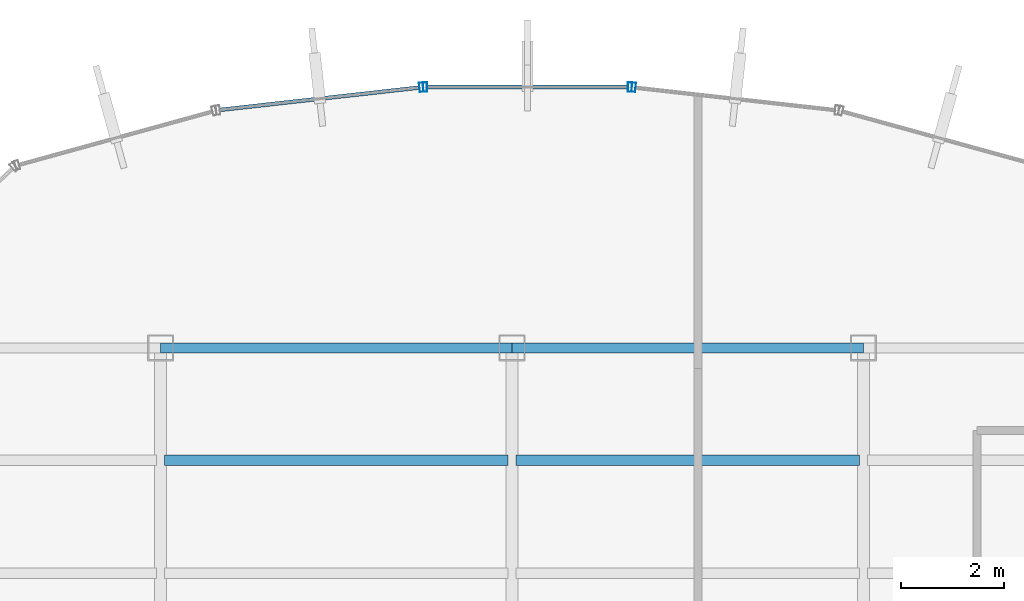
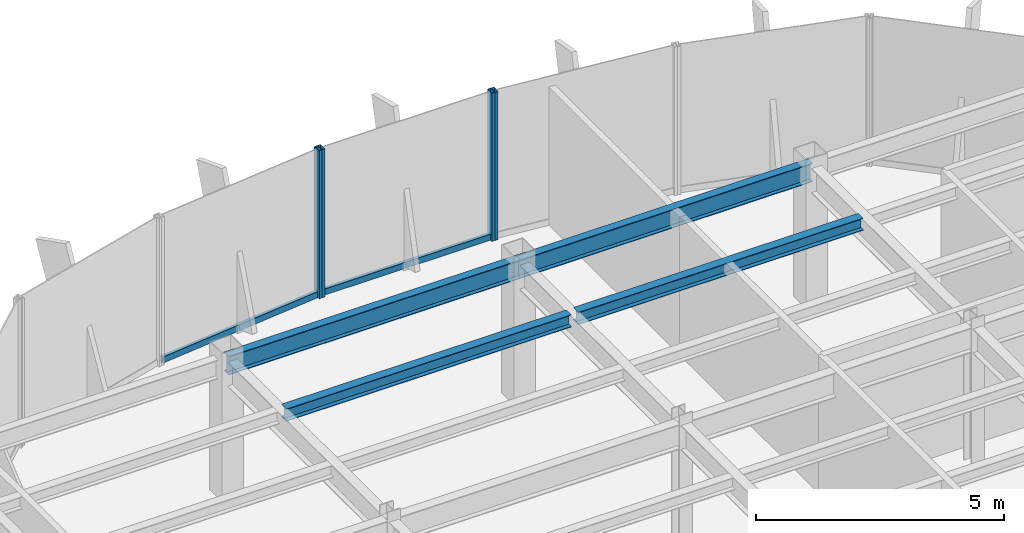
# One storey, part 13 of 22: 6 members, 4 beams, 3 elements without a shape of their own.
"""IFC4 building model written with IfcOpenShell, lengths in metres."""

import ifcopenshell
import ifcopenshell.guid

model = None  # the IFC model being written
_history = None  # IfcOwnerHistory: only IFC2X3 demands one
_inside = {}  # id of a spatial element -> (the spatial element, [elements in it])
_under = {}  # id of a project, library or spatial element -> (it, [spatial elements below it])
_declared = {}  # id of a project -> (the project, [libraries it declares])
_typed = {}  # id of a type object -> (the type object, [elements of that type])
_made_of = {}  # id of a material, layer set ... -> (it, [elements and type objects made of it])


def new_model(schema):
    """Start an empty IFC model of exactly this schema.

    Asked for "IFC4X3", IfcOpenShell would pick the latest addendum, in which some entities
    have other attributes; the version numbers below select the first issue.
    IFC2X3 requires an IfcOwnerHistory on every rooted entity: one is made here for all.
    """
    global model, _history
    if schema == "IFC4X3":
        model = ifcopenshell.file(schema_version=(4, 3, 0, 0))
    else:
        model = ifcopenshell.file(schema=schema)
    _inside.clear()
    _under.clear()
    _declared.clear()
    _typed.clear()
    _made_of.clear()
    _history = None
    if model.schema == "IFC2X3":
        org = make("IfcOrganization", Name="unknown")
        user = make(
            "IfcPersonAndOrganization",
            ThePerson=make("IfcPerson", FamilyName="unknown"),
            TheOrganization=org,
        )
        app = make(
            "IfcApplication",
            ApplicationDeveloper=org,
            Version="unknown",
            ApplicationFullName="unknown",
            ApplicationIdentifier="unknown",
        )
        _history = make(
            "IfcOwnerHistory",
            OwningUser=user,
            OwningApplication=app,
            ChangeAction="ADDED",
            CreationDate=0,
        )
    return model


def make(cls, **values):
    """One entity of the class cls with the attributes given. An attribute that is None is left unset."""
    return model.create_entity(
        cls, **{name: value for name, value in values.items() if value is not None}
    )


def rooted(cls, **values):
    """An entity with a GlobalId (a new one), such as an element, a storey or a relation."""
    return make(cls, GlobalId=ifcopenshell.guid.new(), OwnerHistory=_history, **values)


def si_unit(unit_type, name, prefix=None):
    """IfcSIUnit, for example si_unit("LENGTHUNIT", "METRE", prefix="MILLI")."""
    return make("IfcSIUnit", UnitType=unit_type, Prefix=prefix, Name=name)


def derived_unit(unit_type, elements):
    """IfcDerivedUnit: a product of units, each with its exponent."""
    return make(
        "IfcDerivedUnit",
        Elements=[
            make("IfcDerivedUnitElement", Unit=unit, Exponent=power)
            for unit, power in elements
        ],
        UnitType=unit_type,
    )


def assignment(units):
    """IfcUnitAssignment: the units of a project."""
    return None if units is None else make("IfcUnitAssignment", Units=units)


def point(xyz):
    """IfcCartesianPoint."""
    return None if xyz is None else make("IfcCartesianPoint", Coordinates=xyz)


def direction(xyz):
    """IfcDirection."""
    return None if xyz is None else make("IfcDirection", DirectionRatios=xyz)


def frame(location, z_axis=None, x_axis=None):
    """IfcAxis2Placement3D, a coordinate frame: its origin and axes. An axis left out is left unset."""
    return make(
        "IfcAxis2Placement3D",
        Location=point(location),
        Axis=direction(z_axis),
        RefDirection=direction(x_axis),
    )


def frame_2d(location, x_axis=None):
    """IfcAxis2Placement2D, a coordinate frame in the plane: its origin and x axis."""
    return make(
        "IfcAxis2Placement2D", Location=point(location), RefDirection=direction(x_axis)
    )


def origin():
    """The frame at (0, 0, 0) with its axes left unset."""
    return frame((0.0, 0.0, 0.0))


def origin_2d():
    """The frame at (0, 0) in the plane with its x axis left unset."""
    return frame_2d((0.0, 0.0))


def place(relative_to, where):
    """IfcLocalPlacement: puts the frame where relative to a parent placement (None: the world)."""
    return make(
        "IfcLocalPlacement", PlacementRelTo=relative_to, RelativePlacement=where
    )


def context(
    kind, dimensions, precision=None, world=None, true_north=None, identifier=None
):
    """IfcGeometricRepresentationContext, for example the 3D "Model" context."""
    return make(
        "IfcGeometricRepresentationContext",
        ContextIdentifier=identifier,
        ContextType=kind,
        CoordinateSpaceDimension=dimensions,
        Precision=precision,
        WorldCoordinateSystem=world,
        TrueNorth=true_north,
    )


def subcontext(parent, identifier, kind, view, scale=None):
    """IfcGeometricRepresentationSubContext, for example "Body" below "Model"."""
    return make(
        "IfcGeometricRepresentationSubContext",
        ContextIdentifier=identifier,
        ContextType=kind,
        ParentContext=parent,
        TargetScale=scale,
        TargetView=view,
    )


def project(units=None, contexts=None):
    """IfcProject with its units and contexts."""
    return rooted(
        "IfcProject",
        Name="project",
        RepresentationContexts=contexts,
        UnitsInContext=assignment(units),
    )


def spatial(cls, under=None, at=None, **own):
    """A site, building, storey or space (cls), placed at a placement, below another one or the project."""
    s = rooted(cls, ObjectPlacement=at, **own)
    if under is not None:
        _under.setdefault(under.id(), (under, []))[1].append(s)
    return s


def profile(cls, at=None, kind="AREA", **sizes):
    """A parametric profile (cls). Its sizes go by their IFC names, for example OverallWidth=200.0."""
    return make(cls, ProfileType=kind, Position=at, **sizes)


def hollow_rectangle(**sizes):
    """IfcRectangleHollowProfileDef."""
    return profile("IfcRectangleHollowProfileDef", **sizes)


def i_section(**sizes):
    """IfcIShapeProfileDef."""
    return profile("IfcIShapeProfileDef", **sizes)


def extrude(swept, where, along, depth):
    """IfcExtrudedAreaSolid: the profile swept, set in the frame where, extruded along a direction by depth."""
    return make(
        "IfcExtrudedAreaSolid",
        SweptArea=swept,
        Position=where,
        ExtrudedDirection=direction(along),
        Depth=depth,
    )


def shape(context_of_items, identifier, shape_type, items):
    """IfcShapeRepresentation: the items that make up one representation, for example the "Body"."""
    return make(
        "IfcShapeRepresentation",
        ContextOfItems=context_of_items,
        RepresentationIdentifier=identifier,
        RepresentationType=shape_type,
        Items=items,
    )


def source(mapping_origin, context_of_items, identifier, shape_type, items):
    """IfcRepresentationMap: a shape defined once, which mapped items show again and again."""
    return make(
        "IfcRepresentationMap",
        MappingOrigin=mapping_origin,
        MappedRepresentation=shape(context_of_items, identifier, shape_type, items),
    )


def transform(
    local_origin,
    x_axis=None,
    y_axis=None,
    z_axis=None,
    scale=None,
    scale2=None,
    scale3=None,
    uniform=True,
):
    """IfcCartesianTransformationOperator3D, or its non-uniform kind. x_axis, y_axis, z_axis: its Axis1, 2, 3."""
    if uniform:
        return make(
            "IfcCartesianTransformationOperator3D",
            Axis1=direction(x_axis),
            Axis2=direction(y_axis),
            LocalOrigin=point(local_origin),
            Scale=scale,
            Axis3=direction(z_axis),
        )
    return make(
        "IfcCartesianTransformationOperator3DnonUniform",
        Axis1=direction(x_axis),
        Axis2=direction(y_axis),
        LocalOrigin=point(local_origin),
        Scale=scale,
        Axis3=direction(z_axis),
        Scale2=scale2,
        Scale3=scale3,
    )


def mapped(mapping_source, mapping_target):
    """IfcMappedItem: shows the shape of a source again, moved by a transform."""
    return make(
        "IfcMappedItem", MappingSource=mapping_source, MappingTarget=mapping_target
    )


def material(Name=None, Category=None):
    """IfcMaterial."""
    return make("IfcMaterial", Name=Name, Category=Category)


def material_profile(
    of_material, cross_section, Name=None, Category=None, Priority=None
):
    """IfcMaterialProfile: a cross section and its material."""
    return make(
        "IfcMaterialProfile",
        Name=Name,
        Material=of_material,
        Profile=cross_section,
        Priority=Priority,
        Category=Category,
    )


def profile_set(profiles, Name=None, composite=None):
    """IfcMaterialProfileSet."""
    return make(
        "IfcMaterialProfileSet",
        Name=Name,
        MaterialProfiles=profiles,
        CompositeProfile=composite,
    )


def made_of(thing, what):
    """Note that an element or type object is made of a material, layer set ...; save() writes the relation."""
    if what is not None:
        _made_of.setdefault(what.id(), (what, []))[1].append(thing)
    return thing


def type_object(cls, material=None, **own):
    """A type object (cls), such as IfcWallType, which elements share."""
    return made_of(rooted(cls, **own), material)


def element(
    cls,
    number,
    at=None,
    inside=None,
    cuts=None,
    type_object=None,
    material=None,
    context=None,
    identifier="Body",
    shape_type=None,
    held_by="IfcProductDefinitionShape",
    body=None,
    shapes=None,
    **own,
):
    """One element of the class cls, such as IfcWall. Its Tag is "e" and its number.

    at: its placement. inside: the storey or other place that contains it. cuts: it is an
    opening in that element (IfcRelVoidsElement). A single representation is given by context,
    identifier, shape_type and body (its items); several are given by shapes. held_by: the class
    of the entity that holds the representations. save() writes the other relations.
    """
    e = rooted(cls, Tag="e%d" % number, ObjectPlacement=at, **own)
    if body is not None:
        shapes = [shape(context, identifier, shape_type, body)]
    if shapes is not None:
        e.Representation = make(held_by, Representations=shapes)
    if inside is not None:
        _inside.setdefault(inside.id(), (inside, []))[1].append(e)
    if cuts is not None:
        rooted(
            "IfcRelVoidsElement", RelatingBuildingElement=cuts, RelatedOpeningElement=e
        )
    if type_object is not None:
        _typed.setdefault(type_object.id(), (type_object, []))[1].append(e)
    return made_of(e, material)


def aggregate(whole, parts):
    """IfcRelAggregates: a whole, such as a stair, and the parts it consists of."""
    return rooted("IfcRelAggregates", RelatingObject=whole, RelatedObjects=parts)


def save(model, path):
    """Write the relations noted so far, then the file.

    IfcRelAggregates (storeys below a building ...), IfcRelContainedInSpatialStructure (elements
    in a storey), IfcRelDefinesByType, IfcRelAssociatesMaterial and IfcRelDeclares: one each for
    every whole, place, type object, material and project.
    """
    for whole, parts in _under.values():
        aggregate(whole, parts)
    for where, things in _inside.values():
        rooted(
            "IfcRelContainedInSpatialStructure",
            RelatedElements=things,
            RelatingStructure=where,
        )
    for kind, things in _typed.values():
        rooted("IfcRelDefinesByType", RelatedObjects=things, RelatingType=kind)
    for what, things in _made_of.values():
        rooted("IfcRelAssociatesMaterial", RelatedObjects=things, RelatingMaterial=what)
    for by, libraries in _declared.values():
        rooted("IfcRelDeclares", RelatingContext=by, RelatedDefinitions=libraries)
    model.write(path)


model = new_model("IFC4")

# Units and contexts
model_context = context("Model", 3, precision=1e-05, world=origin(), true_north=direction((0.0, 1.0)))
body_context = subcontext(model_context, "Body", "Model", "MODEL_VIEW")
ifc_project = project(units=[si_unit("LENGTHUNIT", "METRE"), si_unit("AREAUNIT", "SQUARE_METRE"), si_unit("VOLUMEUNIT", "CUBIC_METRE"), si_unit("PLANEANGLEUNIT", "RADIAN"), si_unit("MASSUNIT", "GRAM", prefix="KILO"), derived_unit("THERMALTRANSMITTANCEUNIT", [(si_unit("POWERUNIT", "WATT"), 1), (si_unit("LENGTHUNIT", "METRE"), -2), (si_unit("THERMODYNAMICTEMPERATUREUNIT", "KELVIN"), -1)])], contexts=[model_context])

# Site, building, storey
site_placement = place(None, origin())
site = spatial("IfcSite", under=ifc_project, at=site_placement, CompositionType="ELEMENT")
building_placement = place(site_placement, origin())
building = spatial("IfcBuilding", under=site, at=building_placement, Name="Skarnbrae Concourse Arena and Tower", CompositionType="ELEMENT")
storey_placement = place(building_placement, frame((0.0, 0.0, 284.35009765625)))
storey = spatial("IfcBuildingStorey", under=building, at=storey_placement, Name="L74", CompositionType="ELEMENT", Elevation=284.35009765625)

# Beams
ifc_material_1 = material(Name="Steel CSA G40.21 350W", Category="steel")
ifc_material_profile_1 = material_profile(ifc_material_1, i_section(OverallWidth=0.19091796875, OverallDepth=0.4599609375, WebThickness=0.010009765625, FlangeThickness=0.01611328125, at=origin_2d()), Name="W460X82")
ifc_profile_set_1 = profile_set([ifc_material_profile_1], Name="Steel CSA G40.21 350W")
beam_type_1 = type_object("IfcBeamType", Name="BM-SPAN-W460X82", PredefinedType="SPANDREL", material=ifc_profile_set_1)
shared_shape_1 = source(origin(), body_context, "Body", "SweptSolid", [
    extrude(i_section(OverallWidth=0.19091796875, OverallDepth=0.4599609375, WebThickness=0.010009765625, FlangeThickness=0.01611328125, at=origin_2d()), origin(), (0.0, 0.0, 1.0), 6.800048828125),
])
for number, where, z_axis, x_axis, name in (
    (1, (14.39990234375, 34.39990234375, 3.169921875), (1.0, 0.0, 0.0), (0.0, 1.0, 0.0), "L74 Perimeter spandrel Y34.4-2"),
    (2, (21.199951171875, 34.39990234375, 3.169921875), (1.0, 0.0, 0.0), (0.0, 1.0, 0.0), "L74 Perimeter spandrel Y34.4-3"),
):
    element("IfcBeam", number, at=place(storey_placement, frame(where, z_axis=z_axis, x_axis=x_axis)), inside=storey, type_object=beam_type_1, Name=name, PredefinedType="SPANDREL", context=body_context, shape_type="MappedRepresentation", body=[
        mapped(shared_shape_1, transform((0.0, 0.0, 0.0))),
    ])
ifc_material_profile_2 = material_profile(ifc_material_1, i_section(OverallWidth=0.202880859375, OverallDepth=0.302978515625, WebThickness=0.007568359375, FlangeThickness=0.01318359375, at=origin_2d()), Name="W310X60")
ifc_profile_set_2 = profile_set([ifc_material_profile_2], Name="Steel CSA G40.21 350W")
beam_type_2 = type_object("IfcBeamType", Name="BM-JOIST-W310X60", PredefinedType="JOIST", material=ifc_profile_set_2)
shared_shape_2 = source(origin(), body_context, "Body", "SweptSolid", [
    extrude(i_section(OverallWidth=0.202880859375, OverallDepth=0.302978515625, WebThickness=0.007568359375, FlangeThickness=0.01318359375, at=origin_2d()), origin(), (0.0, 0.0, 1.0), 6.64013671875),
])
beam_1_placement = place(storey_placement, frame((14.47998046875, 32.221923828125, 3.248291015625), z_axis=(1.0, 0.0, 0.0), x_axis=(0.0, 1.0, 0.0)))
element("IfcBeam", 3, at=beam_1_placement, inside=storey, type_object=beam_type_2, Name="L74 Secondary floor joist 3.2.2", PredefinedType="JOIST", context=body_context, shape_type="MappedRepresentation", body=[
    mapped(shared_shape_2, transform((0.0, 0.0, 0.0))),
])
shared_shape_3 = source(origin(), body_context, "Body", "SweptSolid", [
    extrude(i_section(OverallWidth=0.202880859375, OverallDepth=0.302978515625, WebThickness=0.007568359375, FlangeThickness=0.01318359375, at=origin_2d()), origin(), (0.0, 0.0, 1.0), 6.639892578125),
])
beam_2_placement = place(storey_placement, frame((21.280029296875, 32.221923828125, 3.248291015625), z_axis=(1.0, 0.0, 0.0), x_axis=(0.0, 1.0, 0.0)))
element("IfcBeam", 4, at=beam_2_placement, inside=storey, type_object=beam_type_2, Name="L74 Secondary floor joist 3.2.3", PredefinedType="JOIST", context=body_context, shape_type="MappedRepresentation", body=[
    mapped(shared_shape_3, transform((0.0, 0.0, 0.0))),
])

# Curtain wall, member
ifc_material_2 = material(Name="Bronze anodised aluminium 6063-T6", Category="aluminium")
curtain_wall_type = type_object("IfcCurtainWallType", Name="CW-SYS-05-HIGHZONE", PredefinedType="USERDEFINED", material=ifc_material_2)
curtain_wall_1_placement = place(storey_placement, origin())
curtain_wall_1 = element("IfcCurtainWall", 5, at=curtain_wall_1_placement, inside=storey, type_object=curtain_wall_type, Name="L74 Unitised curtain wall CW-L74-E10", ObjectType="UNITISED CURTAIN WALL", PredefinedType="USERDEFINED")
ifc_material_profile_3 = material_profile(ifc_material_2, hollow_rectangle(XDim=0.074951171875, YDim=0.179931640625, WallThickness=0.00390625, at=origin_2d()), Name="ALU-MULL-75X180")
ifc_profile_set_3 = profile_set([ifc_material_profile_3], Name="Bronze anodised aluminium 6063-T6")
member_type_1 = type_object("IfcMemberType", Name="CWM-CW-05", PredefinedType="MULLION", material=ifc_profile_set_3)
shared_shape_4 = source(origin(), body_context, "Body", "SweptSolid", [
    extrude(hollow_rectangle(XDim=0.074951171875, YDim=0.179931640625, WallThickness=0.00390625, at=origin_2d()), origin(), (0.0, 0.0, 1.0), 3.64990234375),
])
member_1_placement = place(storey_placement, frame((23.554443359375, 39.4423828125, 0.0), z_axis=(0.0, 0.0, 1.0), x_axis=(-0.993768891873, 0.111460259941, 0.0)))
member_1 = element("IfcMember", 6, at=member_1_placement, type_object=member_type_1, Name="CW-L74-E10 Mullion 2", PredefinedType="MULLION", context=body_context, shape_type="MappedRepresentation", body=[
    mapped(shared_shape_4, transform((0.0, 0.0, 0.0))),
])
aggregate(curtain_wall_1, [member_1])

# Curtain wall, members
curtain_wall_2_placement = place(storey_placement, origin())
curtain_wall_2 = element("IfcCurtainWall", 7, at=curtain_wall_2_placement, inside=storey, type_object=curtain_wall_type, Name="L74 Unitised curtain wall CW-L74-E11", ObjectType="UNITISED CURTAIN WALL", PredefinedType="USERDEFINED")
member_2_placement = place(storey_placement, frame((23.479736328125, 39.44677734375, 0.0), z_axis=(0.0, 0.0, 1.0), x_axis=(-1.0, 0.0, 0.0)))
member_2 = element("IfcMember", 8, at=member_2_placement, type_object=member_type_1, Name="CW-L74-E11 Mullion 1", PredefinedType="MULLION", context=body_context, shape_type="MappedRepresentation", body=[
    mapped(shared_shape_4, transform((0.0, 0.0, 0.0))),
])
member_3_placement = place(storey_placement, frame((19.520263671875, 39.44677734375, 0.0), z_axis=(0.0, 0.0, 1.0), x_axis=(-1.0, 0.0, 0.0)))
member_3 = element("IfcMember", 9, at=member_3_placement, type_object=member_type_1, Name="CW-L74-E11 Mullion 2", PredefinedType="MULLION", context=body_context, shape_type="MappedRepresentation", body=[
    mapped(shared_shape_4, transform((0.0, 0.0, 0.0))),
])

curtain_wall_3_placement = place(storey_placement, origin())
curtain_wall_3 = element("IfcCurtainWall", 10, at=curtain_wall_3_placement, inside=storey, type_object=curtain_wall_type, Name="L74 Unitised curtain wall CW-L74-E12", ObjectType="UNITISED CURTAIN WALL", PredefinedType="USERDEFINED")
member_4_placement = place(storey_placement, frame((19.445556640625, 39.4423828125, 0.0), z_axis=(0.0, 0.0, 1.0), x_axis=(-0.993768891873, -0.111460259941, 0.0)))
member_4 = element("IfcMember", 11, at=member_4_placement, type_object=member_type_1, Name="CW-L74-E12 Mullion 1", PredefinedType="MULLION", context=body_context, shape_type="MappedRepresentation", body=[
    mapped(shared_shape_4, transform((0.0, 0.0, 0.0))),
])
ifc_material_profile_4 = material_profile(ifc_material_2, hollow_rectangle(XDim=0.074951171875, YDim=0.14990234375, WallThickness=0.00390625, at=origin_2d()), Name="ALU-TRAN-75X150")
ifc_profile_set_4 = profile_set([ifc_material_profile_4], Name="Bronze anodised aluminium 6063-T6")
member_type_2 = type_object("IfcMemberType", Name="CWT-CW-05", PredefinedType="USERDEFINED", material=ifc_profile_set_4)
shared_shape_5 = source(origin(), body_context, "Body", "SweptSolid", [
    extrude(hollow_rectangle(XDim=0.074951171875, YDim=0.14990234375, WallThickness=0.00390625, at=origin_2d()), origin(), (0.0, 0.0, 1.0), 3.8837890625),
])
member_5_placement = place(storey_placement, frame((19.408203125, 39.438232421875, 0.074951171875), z_axis=(-0.993776714154, -0.111390495128, 0.0), x_axis=(0.111390495128, -0.993776714154, 0.0)))
member_5 = element("IfcMember", 12, at=member_5_placement, type_object=member_type_2, Name="CW-L74-E12 Transom 1", ObjectType="TRANSOM", PredefinedType="USERDEFINED", context=body_context, shape_type="MappedRepresentation", body=[
    mapped(shared_shape_5, transform((0.0, 0.0, 0.0))),
])
aggregate(curtain_wall_3, [member_4, member_5])

# Member
shared_shape_6 = source(origin(), body_context, "Body", "SweptSolid", [
    extrude(hollow_rectangle(XDim=0.074951171875, YDim=0.14990234375, WallThickness=0.00390625, at=origin_2d()), origin(), (0.0, 0.0, 1.0), 3.88427734375),
])
member_6_placement = place(storey_placement, frame((23.442138671875, 39.44677734375, 0.074951171875), z_axis=(-1.0, 0.0, 0.0), x_axis=(0.0, -1.0, 0.0)))
member_6 = element("IfcMember", 13, at=member_6_placement, type_object=member_type_2, Name="CW-L74-E11 Transom 1", ObjectType="TRANSOM", PredefinedType="USERDEFINED", context=body_context, shape_type="MappedRepresentation", body=[
    mapped(shared_shape_6, transform((0.0, 0.0, 0.0))),
])

aggregate(curtain_wall_2, [member_2, member_3, member_6])

save(model, "model.ifc")
